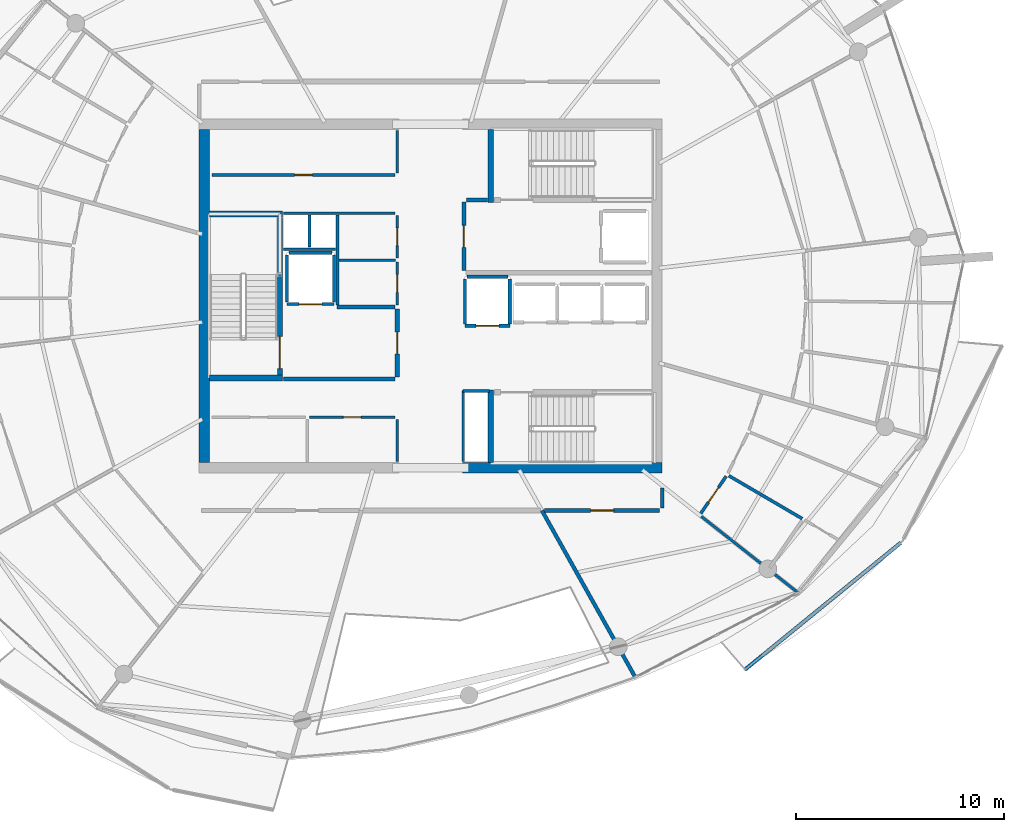
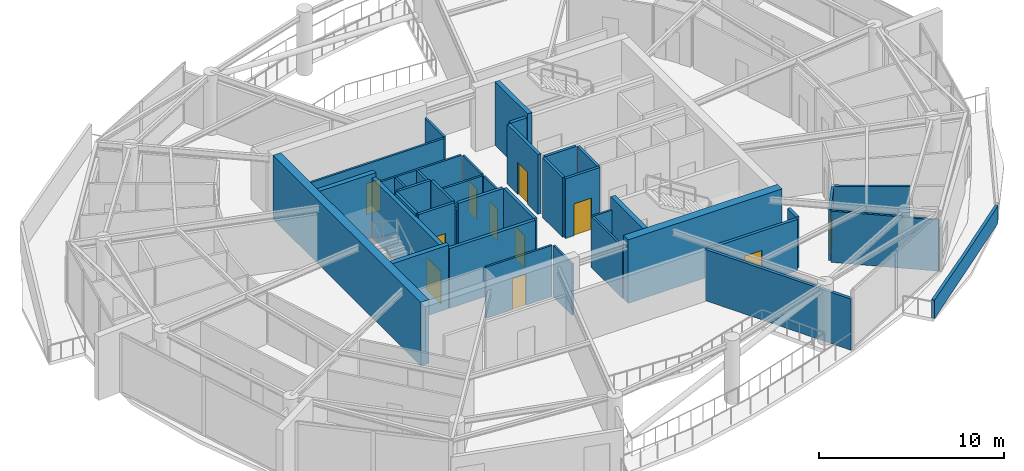
# One storey, part 14 of 22: 40 walls, 11 doors, 11 openings.
"""IFC4 building model written with IfcOpenShell, lengths in metres."""

from ifc_helpers import new_model, si_unit, direction, frame, frame_2d, origin, place, context, subcontext, project, spatial, polyline, rectangle, outline, extrude, material, layer, layer_set, type_object, element, fill, save


model = new_model("IFC4")

# Units and contexts
model_context = context("Model", 3, precision=1e-05, world=origin(), true_north=direction((0.0, 1.0)))
body_context = subcontext(model_context, "Body", "Model", "MODEL_VIEW")
ifc_project = project(units=[si_unit("LENGTHUNIT", "METRE"), si_unit("AREAUNIT", "SQUARE_METRE"), si_unit("VOLUMEUNIT", "CUBIC_METRE"), si_unit("PLANEANGLEUNIT", "RADIAN"), si_unit("MASSUNIT", "GRAM", prefix="KILO")], contexts=[model_context])

# Site, building, storey
site_placement = place(None, origin())
site = spatial("IfcSite", under=ifc_project, at=site_placement, CompositionType="ELEMENT")
building_placement = place(site_placement, origin())
building = spatial("IfcBuilding", under=site, at=building_placement, Name="Kazma Halo Residences", CompositionType="ELEMENT")
storey_placement = place(building_placement, frame((0.0, 0.0, 330.5)))
storey = spatial("IfcBuildingStorey", under=building, at=storey_placement, Name="L83", CompositionType="ELEMENT", Elevation=330.5)

# Walls
ifc_material_1 = material(Name="White Concrete C50/60 Balustrade", Category="concrete")
ifc_layer_1 = layer(ifc_material_1, 0.179931640625)
ifc_layer_set_1 = layer_set([ifc_layer_1], Name="White Concrete C50/60 Balustrade")
wall_type_1 = type_object("IfcWallType", Name="WL-BAL-WAVE-180", PredefinedType="PARAPET", material=ifc_layer_set_1)
wall_1_placement = place(storey_placement, frame((63.522216796875, 24.048828125, 0.0), z_axis=(0.0, 0.0, 1.0), x_axis=(0.775308764642, 0.631582393255, 0.0)))
element("IfcWall", 1, at=wall_1_placement, inside=storey, type_object=wall_type_1, Name="L83 white wave balustrade wall SE.1", PredefinedType="PARAPET", context=body_context, shape_type="SweptSolid", body=[
    extrude(outline(polyline([(0.0, 0.0), (9.661865234375, 0.0), (9.66162109375, 1.14794921875), (4.830810546875, 1.126953125), (0.0, 1.22412109375), (0.0, 0.0)])), frame((0.0, 0.08984375, 0.0), z_axis=(0.0, -1.0, 0.0), x_axis=(1.0, 0.0, 0.0)), (0.0, 0.0, 1.0), 0.179931640625),
])
ifc_material_2 = material(Name="Concrete C60/75", Category="concrete")
ifc_layer_2 = layer(ifc_material_2, 0.5)
ifc_layer_set_2 = layer_set([ifc_layer_2], Name="Concrete C60/75")
wall_type_2 = type_object("IfcWallType", Name="WL-CORE-500", PredefinedType="SHEAR", material=ifc_layer_set_2)
wall_2_placement = place(storey_placement, frame((49.949951171875, 33.75, 0.0), z_axis=(0.0, 0.0, 1.0), x_axis=(1.0, 0.0, 0.0)))
element("IfcWall", 2, at=wall_2_placement, inside=storey, type_object=wall_type_2, Name="L83 central core shear wall SE", PredefinedType="SHEAR", context=body_context, shape_type="SweptSolid", body=[
    extrude(rectangle(XDim=9.60009765625, YDim=0.5, at=frame_2d((4.800048828125, 0.0))), origin(), (0.0, 0.0, 1.0), 4.199951171875),
])
wall_3_placement = place(storey_placement, frame((37.550048828125, 34.0, 0.0), z_axis=(0.0, 0.0, 1.0), x_axis=(0.0, 1.0, 0.0)))
element("IfcWall", 3, at=wall_3_placement, inside=storey, type_object=wall_type_2, Name="L83 central core shear wall W", PredefinedType="SHEAR", context=body_context, shape_type="SweptSolid", body=[
    extrude(rectangle(XDim=16.0, YDim=0.5, at=frame_2d((8.0, 0.0))), origin(), (0.0, 0.0, 1.0), 4.199951171875),
])
ifc_layer_3 = layer(ifc_material_2, 0.280029296875)
ifc_layer_set_3 = layer_set([ifc_layer_3], Name="Concrete C60/75")
wall_type_3 = type_object("IfcWallType", Name="WL-CORE-ST-280", PredefinedType="SHEAR", material=ifc_layer_set_3)
for number, where, z_axis, x_axis, name in (
    (4, (37.800048828125, 38.06005859375, 0.0), (0.0, 0.0, 1.0), (1.0, 0.0, 0.0), "L83 stairwell bearing wall ST01-S"),
    (5, (37.800048828125, 45.93994140625, 0.0), (0.0, 0.0, 1.0), (1.0, 0.0, 0.0), "L83 stairwell bearing wall ST01-N"),
    (6, (51.31005859375, 46.5, 0.0), (0.0, 0.0, 1.0), (0.0, 1.0, 0.0), "L83 stairwell bearing wall ST02-W"),
    (7, (51.31005859375, 34.0, 0.0), (0.0, 0.0, 1.0), (0.0, 1.0, 0.0), "L83 stairwell bearing wall ST03-W"),
):
    element("IfcWall", number, at=place(storey_placement, frame(where, z_axis=z_axis, x_axis=x_axis)), inside=storey, type_object=wall_type_3, Name=name, PredefinedType="SHEAR", context=body_context, shape_type="SweptSolid", body=[
        extrude(rectangle(XDim=3.5, YDim=0.280029296875, at=frame_2d((1.75, 0.0))), origin(), (0.0, 0.0, 1.0), 4.199951171875),
    ])
ifc_material_3 = material(Name="Acoustic Twin-Stud Gypsum")
ifc_layer_4 = layer(ifc_material_3, 0.179931640625)
ifc_layer_set_4 = layer_set([ifc_layer_4], Name="Acoustic Twin-Stud Gypsum")
wall_type_4 = type_object("IfcWallType", Name="WL-DEM-180", PredefinedType="PARTITIONING", material=ifc_layer_set_4)
wall_4_placement = place(storey_placement, frame((53.768310546875, 31.699951171875, 0.0), z_axis=(0.0, 0.0, 1.0), x_axis=(0.488623665245, -0.872494649704, 0.0)))
element("IfcWall", 8, at=wall_4_placement, inside=storey, type_object=wall_type_4, Name="L83 apartment demising radial wall 12", PredefinedType="PARTITIONING", context=body_context, shape_type="SweptSolid", body=[
    extrude(rectangle(XDim=9.156982421875, YDim=0.179931640625, at=frame_2d((4.57861328125, 0.0))), origin(), (0.0, 0.0, 1.0), 3.3798828125),
])

# Wall, opening, door
wall_5_placement = place(storey_placement, frame((53.88818359375, 31.699951171875, 0.0), z_axis=(0.0, 0.0, 1.0), x_axis=(1.0, 0.0, 0.0)))
wall_5 = element("IfcWall", 9, at=wall_5_placement, inside=storey, type_object=wall_type_4, Name="L83 Penthouse 3 entrance corridor wall", PredefinedType="PARTITIONING", context=body_context, shape_type="SweptSolid", body=[
    extrude(rectangle(XDim=5.541748046875, YDim=0.179931640625, at=frame_2d((2.77099609375, 0.0))), origin(), (0.0, 0.0, 1.0), 3.3798828125),
])
opening_1_placement = place(wall_5_placement, frame((2.220703125, 0.0, 0.0)))
opening_1 = element("IfcOpeningElement", 10, at=opening_1_placement, cuts=wall_5, Name="Opening DA-1100", PredefinedType="OPENING", context=body_context, shape_type="SweptSolid", body=[
    extrude(rectangle(XDim=1.10009765625, YDim=2.10009765625, at=frame_2d((0.550048828125, 1.050048828125))), frame((0.0, 0.099853515625, 0.0), z_axis=(0.0, -1.0, 0.0), x_axis=(1.0, 0.0, 0.0)), (0.0, 0.0, 1.0), 0.199951171875),
])
ifc_material_4 = material(Name="Acoustic Walnut Fire Leaf")
door_type_1 = type_object("IfcDoorType", Name="DR-FD60-1100", OperationType="NOTDEFINED", PredefinedType="DOOR", material=ifc_material_4)
door_1_placement = place(opening_1_placement, origin())
door_1 = element("IfcDoor", 11, at=door_1_placement, inside=storey, type_object=door_type_1, Name="L83 Penthouse 3 entrance fire door", OperationType="SINGLE_SWING_LEFT", OverallHeight=2.10009765625, OverallWidth=1.10009765625, PredefinedType="DOOR", context=body_context, shape_type="SweptSolid", body=[
    extrude(rectangle(XDim=1.10009765625, YDim=2.10009765625, at=frame_2d((0.550048828125, 1.050048828125))), frame((0.0, 0.02490234375, 0.0), z_axis=(0.0, -1.0, 0.0), x_axis=(1.0, 0.0, 0.0)), (0.0, 0.0, 1.0), 0.050048828125),
])
fill(opening_1, door_1)

# Wall
wall_6_placement = place(storey_placement, frame((59.550048828125, 31.820068359375, 0.0), z_axis=(0.0, 0.0, 1.0), x_axis=(0.0, 1.0, 0.0)))
element("IfcWall", 12, at=wall_6_placement, inside=storey, type_object=wall_type_4, Name="L83 Penthouse 3 entrance corridor wall", PredefinedType="PARTITIONING", context=body_context, shape_type="SweptSolid", body=[
    extrude(rectangle(XDim=0.95458984375, YDim=0.179931640625, at=frame_2d((0.477294921875, 0.0))), origin(), (0.0, 0.0, 1.0), 3.3798828125),
])

# Wall, opening, door
ifc_material_5 = material(Name="Fire-Rated Blockwork Masonry", Category="masonry")
ifc_layer_5 = layer(ifc_material_5, 0.199951171875)
ifc_layer_set_5 = layer_set([ifc_layer_5], Name="Fire-Rated Blockwork Masonry")
wall_type_5 = type_object("IfcWallType", Name="WL-FLB-200", PredefinedType="PARTITIONING", material=ifc_layer_set_5)
wall_7_placement = place(storey_placement, frame((43.780029296875, 41.6201171875, 0.0), z_axis=(0.0, 0.0, 1.0), x_axis=(-1.0, 0.0, 0.0)))
wall_7 = element("IfcWall", 13, at=wall_7_placement, inside=storey, type_object=wall_type_5, Name="L83 lift shaft FL-01 front wall", PredefinedType="PARTITIONING", context=body_context, shape_type="SweptSolid", body=[
    extrude(rectangle(XDim=2.260009765625, YDim=0.159912109375, at=frame_2d((1.1298828125, 0.0))), origin(), (0.0, 0.0, 1.0), 3.93994140625),
])
opening_2_placement = place(wall_7_placement, frame((0.580078125, 0.0, 0.0)))
opening_2 = element("IfcOpeningElement", 14, at=opening_2_placement, cuts=wall_7, Name="Opening LD-FL-01", PredefinedType="OPENING", context=body_context, shape_type="SweptSolid", body=[
    extrude(rectangle(XDim=1.10009765625, YDim=2.10009765625, at=frame_2d((0.550048828125, 1.050048828125))), frame((0.0, 0.08984375, 0.0), z_axis=(0.0, -1.0, 0.0), x_axis=(1.0, 0.0, 0.0)), (0.0, 0.0, 1.0), 0.179931640625),
])
ifc_material_6 = material(Name="Stainless Steel Fire-Rated", Category="steel")
door_type_2 = type_object("IfcDoorType", Name="DR-LIFT-SLD-1100", OperationType="DOUBLE_DOOR_SLIDING", PredefinedType="DOOR", material=ifc_material_6)
door_2_placement = place(opening_2_placement, origin())
door_2 = element("IfcDoor", 15, at=door_2_placement, inside=storey, type_object=door_type_2, Name="L83 lift FL-01 sliding landing door", OperationType="DOUBLE_DOOR_SLIDING", OverallHeight=2.10009765625, OverallWidth=1.10009765625, PredefinedType="DOOR", context=body_context, shape_type="SweptSolid", body=[
    extrude(rectangle(XDim=1.10009765625, YDim=2.10009765625, at=frame_2d((0.550048828125, 1.050048828125))), frame((0.0, 0.02490234375, 0.0), z_axis=(0.0, -1.0, 0.0), x_axis=(1.0, 0.0, 0.0)), (0.0, 0.0, 1.0), 0.050048828125),
])
fill(opening_2, door_2)

# Walls
for number, where, z_axis, x_axis, name in (
    (16, (43.780029296875, 41.719970703125, 0.0), (0.0, 0.0, 1.0), (0.0, 1.0, 0.0), "L83 lift shaft FL-01 side wall E"),
    (17, (41.52001953125, 41.719970703125, 0.0), (0.0, 0.0, 1.0), (0.0, 1.0, 0.0), "L83 lift shaft FL-01 side wall W"),
):
    element("IfcWall", number, at=place(storey_placement, frame(where, z_axis=z_axis, x_axis=x_axis)), inside=storey, type_object=wall_type_5, Name=name, PredefinedType="PARTITIONING", context=body_context, shape_type="SweptSolid", body=[
        extrude(rectangle(XDim=2.260009765625, YDim=0.159912109375, at=frame_2d((1.1298828125, 0.0))), origin(), (0.0, 0.0, 1.0), 3.93994140625),
    ])
wall_8_placement = place(storey_placement, frame((41.6201171875, 44.080078125, 0.0), z_axis=(0.0, 0.0, 1.0), x_axis=(1.0, 0.0, 0.0)))
element("IfcWall", 18, at=wall_8_placement, inside=storey, type_object=wall_type_5, Name="L83 lift shaft FL-01 side wall N", PredefinedType="PARTITIONING", context=body_context, shape_type="SweptSolid", body=[
    extrude(rectangle(XDim=2.059814453125, YDim=0.159912109375, at=frame_2d((1.02978515625, 0.0))), origin(), (0.0, 0.0, 1.0), 3.93994140625),
])

# Wall, opening, door
wall_9_placement = place(storey_placement, frame((52.22998046875, 40.570068359375, 0.0), z_axis=(0.0, 0.0, 1.0), x_axis=(-1.0, 0.0, 0.0)))
wall_9 = element("IfcWall", 19, at=wall_9_placement, inside=storey, type_object=wall_type_5, Name="L83 lift shaft SV-01 front wall", PredefinedType="PARTITIONING", context=body_context, shape_type="SweptSolid", body=[
    extrude(rectangle(XDim=2.159912109375, YDim=0.159912109375, at=frame_2d((1.080078125, 0.0))), origin(), (0.0, 0.0, 1.0), 3.93994140625),
])
opening_3_placement = place(wall_9_placement, frame((0.530029296875, 0.0, 0.0)))
opening_3 = element("IfcOpeningElement", 20, at=opening_3_placement, cuts=wall_9, Name="Opening LD-SV-01", PredefinedType="OPENING", context=body_context, shape_type="SweptSolid", body=[
    extrude(rectangle(XDim=1.10009765625, YDim=2.10009765625, at=frame_2d((0.550048828125, 1.050048828125))), frame((0.0, 0.08984375, 0.0), z_axis=(0.0, -1.0, 0.0), x_axis=(1.0, 0.0, 0.0)), (0.0, 0.0, 1.0), 0.179931640625),
])
door_3_placement = place(opening_3_placement, origin())
door_3 = element("IfcDoor", 21, at=door_3_placement, inside=storey, type_object=door_type_2, Name="L83 lift SV-01 sliding landing door", OperationType="DOUBLE_DOOR_SLIDING", OverallHeight=2.10009765625, OverallWidth=1.10009765625, PredefinedType="DOOR", context=body_context, shape_type="SweptSolid", body=[
    extrude(rectangle(XDim=1.10009765625, YDim=2.10009765625, at=frame_2d((0.550048828125, 1.050048828125))), frame((0.0, 0.02490234375, 0.0), z_axis=(0.0, -1.0, 0.0), x_axis=(1.0, 0.0, 0.0)), (0.0, 0.0, 1.0), 0.050048828125),
])
fill(opening_3, door_3)

# Walls
for number, where, z_axis, x_axis, name in (
    (22, (52.22998046875, 40.669921875, 0.0), (0.0, 0.0, 1.0), (0.0, 1.0, 0.0), "L83 lift shaft SV-01 side wall E"),
    (23, (50.070068359375, 40.669921875, 0.0), (0.0, 0.0, 1.0), (0.0, 1.0, 0.0), "L83 lift shaft SV-01 side wall W"),
):
    element("IfcWall", number, at=place(storey_placement, frame(where, z_axis=z_axis, x_axis=x_axis)), inside=storey, type_object=wall_type_5, Name=name, PredefinedType="PARTITIONING", context=body_context, shape_type="SweptSolid", body=[
        extrude(rectangle(XDim=2.16015625, YDim=0.159912109375, at=frame_2d((1.080078125, 0.0))), origin(), (0.0, 0.0, 1.0), 3.93994140625),
    ])
wall_10_placement = place(storey_placement, frame((50.169921875, 42.929931640625, 0.0), z_axis=(0.0, 0.0, 1.0), x_axis=(1.0, 0.0, 0.0)))
element("IfcWall", 24, at=wall_10_placement, inside=storey, type_object=wall_type_5, Name="L83 lift shaft SV-01 side wall N", PredefinedType="PARTITIONING", context=body_context, shape_type="SweptSolid", body=[
    extrude(rectangle(XDim=1.9599609375, YDim=0.159912109375, at=frame_2d((0.97998046875, 0.0))), origin(), (0.0, 0.0, 1.0), 3.93994140625),
])
wall_11_placement = place(storey_placement, frame((41.35009765625, 38.02001953125, 0.0), z_axis=(0.0, 0.0, 1.0), x_axis=(1.0, 0.0, 0.0)))
element("IfcWall", 25, at=wall_11_placement, inside=storey, type_object=wall_type_5, Name="L83 west firefighting lobby south smoke wall", PredefinedType="PARTITIONING", context=body_context, shape_type="SweptSolid", body=[
    extrude(rectangle(XDim=5.369873046875, YDim=0.199951171875, at=frame_2d((2.68505859375, 0.0))), origin(), (0.0, 0.0, 1.0), 3.93994140625),
])
wall_12_placement = place(storey_placement, frame((43.919921875, 41.47998046875, 0.0), z_axis=(0.0, 0.0, 1.0), x_axis=(1.0, 0.0, 0.0)))
element("IfcWall", 26, at=wall_12_placement, inside=storey, type_object=wall_type_5, Name="L83 west firefighting lobby north smoke wall", PredefinedType="PARTITIONING", context=body_context, shape_type="SweptSolid", body=[
    extrude(rectangle(XDim=2.800048828125, YDim=0.199951171875, at=frame_2d((1.39990234375, 0.0))), origin(), (0.0, 0.0, 1.0), 3.93994140625),
])

# Wall, opening, door
wall_13_placement = place(storey_placement, frame((46.820068359375, 38.1201171875, 0.0), z_axis=(0.0, 0.0, 1.0), x_axis=(0.0, 1.0, 0.0)))
wall_13 = element("IfcWall", 27, at=wall_13_placement, inside=storey, type_object=wall_type_5, Name="L83 west firefighting lobby smoke wall", PredefinedType="PARTITIONING", context=body_context, shape_type="SweptSolid", body=[
    extrude(rectangle(XDim=3.259765625, YDim=0.199951171875, at=frame_2d((1.6298828125, 0.0))), origin(), (0.0, 0.0, 1.0), 3.93994140625),
])
opening_4_placement = place(wall_13_placement, frame((1.10498046875, 0.0, 0.0)))
opening_4 = element("IfcOpeningElement", 28, at=opening_4_placement, cuts=wall_13, Name="Opening D-FLW", PredefinedType="OPENING", context=body_context, shape_type="SweptSolid", body=[
    extrude(rectangle(XDim=1.050048828125, YDim=2.10009765625, at=frame_2d((0.52490234375, 1.050048828125))), frame((0.0, 0.10986328125, 0.0), z_axis=(0.0, -1.0, 0.0), x_axis=(1.0, 0.0, 0.0)), (0.0, 0.0, 1.0), 0.219970703125),
])
ifc_material_7 = material(Name="Fire-Rated Steel Leaf", Category="steel")
door_type_3 = type_object("IfcDoorType", Name="DR-FD90-1050", OperationType="NOTDEFINED", PredefinedType="DOOR", material=ifc_material_7)
door_4_placement = place(opening_4_placement, origin())
door_4 = element("IfcDoor", 29, at=door_4_placement, inside=storey, type_object=door_type_3, Name="L83 west firefighting lobby smoke door", OperationType="SINGLE_SWING_RIGHT", OverallHeight=2.10009765625, OverallWidth=1.050048828125, PredefinedType="DOOR", context=body_context, shape_type="SweptSolid", body=[
    extrude(rectangle(XDim=1.050048828125, YDim=2.10009765625, at=frame_2d((0.52490234375, 1.050048828125))), frame((0.0, 0.02490234375, 0.0), z_axis=(0.0, -1.0, 0.0), x_axis=(1.0, 0.0, 0.0)), (0.0, 0.0, 1.0), 0.050048828125),
])
fill(opening_4, door_4)

# Wall
wall_14_placement = place(storey_placement, frame((50.139892578125, 46.6201171875, 0.0), z_axis=(0.0, 0.0, 1.0), x_axis=(1.0, 0.0, 0.0)))
element("IfcWall", 30, at=wall_14_placement, inside=storey, type_object=wall_type_5, Name="L83 east firefighting lobby north closure wall", PredefinedType="PARTITIONING", context=body_context, shape_type="SweptSolid", body=[
    extrude(rectangle(XDim=1.02001953125, YDim=0.199951171875, at=frame_2d((0.510009765625, 0.0))), origin(), (0.0, 0.0, 1.0), 3.93994140625),
])

# Wall, opening, door
wall_15_placement = place(storey_placement, frame((50.02001953125, 43.219970703125, 0.0), z_axis=(0.0, 0.0, 1.0), x_axis=(0.0, 1.0, 0.0)))
wall_15 = element("IfcWall", 31, at=wall_15_placement, inside=storey, type_object=wall_type_5, Name="L83 east firefighting lobby smoke wall", PredefinedType="PARTITIONING", context=body_context, shape_type="SweptSolid", body=[
    extrude(rectangle(XDim=3.300048828125, YDim=0.199951171875, at=frame_2d((1.64990234375, 0.0))), origin(), (0.0, 0.0, 1.0), 3.93994140625),
])
opening_5_placement = place(wall_15_placement, frame((1.125, 0.0, 0.0)))
opening_5 = element("IfcOpeningElement", 32, at=opening_5_placement, cuts=wall_15, Name="Opening D-FLE", PredefinedType="OPENING", context=body_context, shape_type="SweptSolid", body=[
    extrude(rectangle(XDim=1.050048828125, YDim=2.10009765625, at=frame_2d((0.52490234375, 1.050048828125))), frame((0.0, 0.10986328125, 0.0), z_axis=(0.0, -1.0, 0.0), x_axis=(1.0, 0.0, 0.0)), (0.0, 0.0, 1.0), 0.219970703125),
])
door_5_placement = place(opening_5_placement, origin())
door_5 = element("IfcDoor", 33, at=door_5_placement, inside=storey, type_object=door_type_3, Name="L83 east firefighting lobby smoke door", OperationType="SINGLE_SWING_LEFT", OverallHeight=2.10009765625, OverallWidth=1.050048828125, PredefinedType="DOOR", context=body_context, shape_type="SweptSolid", body=[
    extrude(rectangle(XDim=1.050048828125, YDim=2.10009765625, at=frame_2d((0.52490234375, 1.050048828125))), frame((0.0, 0.02490234375, 0.0), z_axis=(0.0, -1.0, 0.0), x_axis=(1.0, 0.0, 0.0)), (0.0, 0.0, 1.0), 0.050048828125),
])
fill(opening_5, door_5)

# Wall
ifc_material_8 = material(Name="Gypsum Plasterboard Partition")
ifc_layer_6 = layer(ifc_material_8, 0.125)
ifc_layer_set_6 = layer_set([ifc_layer_6], Name="Gypsum Plasterboard Partition")
wall_type_6 = type_object("IfcWallType", Name="WL-PART-125", PredefinedType="PARTITIONING", material=ifc_layer_set_6)
wall_16_placement = place(storey_placement, frame((46.820068359375, 34.050048828125, 0.0), z_axis=(0.0, 0.0, 1.0), x_axis=(0.0, 1.0, 0.0)))
element("IfcWall", 34, at=wall_16_placement, inside=storey, type_object=wall_type_6, Name="L83 reclaimed south east wall", PredefinedType="PARTITIONING", context=body_context, shape_type="SweptSolid", body=[
    extrude(rectangle(XDim=2.030029296875, YDim=0.125, at=frame_2d((1.01513671875, 0.0))), origin(), (0.0, 0.0, 1.0), 3.3798828125),
])

# Wall, opening, door
wall_17_placement = place(storey_placement, frame((42.60009765625, 36.179931640625, 0.0), z_axis=(0.0, 0.0, 1.0), x_axis=(1.0, 0.0, 0.0)))
wall_17 = element("IfcWall", 35, at=wall_17_placement, inside=storey, type_object=wall_type_6, Name="L83 reclaimed south E front wall", PredefinedType="PARTITIONING", context=body_context, shape_type="SweptSolid", body=[
    extrude(rectangle(XDim=4.119873046875, YDim=0.125, at=frame_2d((2.06005859375, 0.0))), origin(), (0.0, 0.0, 1.0), 3.3798828125),
])
opening_6_placement = place(wall_17_placement, frame((1.635009765625, 0.0, 0.0)))
opening_6 = element("IfcOpeningElement", 36, at=opening_6_placement, cuts=wall_17, Name="Opening DS-850", PredefinedType="OPENING", context=body_context, shape_type="SweptSolid", body=[
    extrude(rectangle(XDim=0.85009765625, YDim=2.06005859375, at=frame_2d((0.425048828125, 1.030029296875))), frame((0.0, 0.072509765625, 0.0), z_axis=(0.0, -1.0, 0.0), x_axis=(1.0, 0.0, 0.0)), (0.0, 0.0, 1.0), 0.14501953125),
])
ifc_material_9 = material(Name="Painted Steel Access Leaf", Category="steel")
door_type_4 = type_object("IfcDoorType", Name="DR-SVC-850", OperationType="NOTDEFINED", PredefinedType="DOOR", material=ifc_material_9)
door_6_placement = place(opening_6_placement, origin())
door_6 = element("IfcDoor", 37, at=door_6_placement, inside=storey, type_object=door_type_4, Name="L83 reclaimed south E door", OperationType="SINGLE_SWING_LEFT", OverallHeight=2.06005859375, OverallWidth=0.85009765625, PredefinedType="DOOR", context=body_context, shape_type="SweptSolid", body=[
    extrude(rectangle(XDim=0.85009765625, YDim=2.06005859375, at=frame_2d((0.425048828125, 1.030029296875))), frame((0.0, 0.02490234375, 0.0), z_axis=(0.0, -1.0, 0.0), x_axis=(1.0, 0.0, 0.0)), (0.0, 0.0, 1.0), 0.050048828125),
])
fill(opening_6, door_6)

# Wall
wall_18_placement = place(storey_placement, frame((46.820068359375, 47.919921875, 0.0), z_axis=(0.0, 0.0, 1.0), x_axis=(0.0, 1.0, 0.0)))
element("IfcWall", 38, at=wall_18_placement, inside=storey, type_object=wall_type_6, Name="L83 reclaimed north east wall", PredefinedType="PARTITIONING", context=body_context, shape_type="SweptSolid", body=[
    extrude(rectangle(XDim=2.030029296875, YDim=0.125, at=frame_2d((1.01513671875, 0.0))), origin(), (0.0, 0.0, 1.0), 3.3798828125),
])

# Wall, opening, door
wall_19_placement = place(storey_placement, frame((37.919921875, 47.820068359375, 0.0), z_axis=(0.0, 0.0, 1.0), x_axis=(1.0, 0.0, 0.0)))
wall_19 = element("IfcWall", 39, at=wall_19_placement, inside=storey, type_object=wall_type_6, Name="L83 reclaimed north front wall", PredefinedType="PARTITIONING", context=body_context, shape_type="SweptSolid", body=[
    extrude(rectangle(XDim=8.780029296875, YDim=0.125, at=frame_2d((4.39013671875, 0.0))), origin(), (0.0, 0.0, 1.0), 3.3798828125),
])
opening_7_placement = place(wall_19_placement, frame((3.965087890625, 0.0, 0.0)))
opening_7 = element("IfcOpeningElement", 40, at=opening_7_placement, cuts=wall_19, Name="Opening DS-850", PredefinedType="OPENING", context=body_context, shape_type="SweptSolid", body=[
    extrude(rectangle(XDim=0.85009765625, YDim=2.06005859375, at=frame_2d((0.425048828125, 1.030029296875))), frame((0.0, 0.072509765625, 0.0), z_axis=(0.0, -1.0, 0.0), x_axis=(1.0, 0.0, 0.0)), (0.0, 0.0, 1.0), 0.14501953125),
])
door_7_placement = place(opening_7_placement, origin())
door_7 = element("IfcDoor", 41, at=door_7_placement, inside=storey, type_object=door_type_4, Name="L83 reclaimed north service door", OperationType="SINGLE_SWING_RIGHT", OverallHeight=2.06005859375, OverallWidth=0.85009765625, PredefinedType="DOOR", context=body_context, shape_type="SweptSolid", body=[
    extrude(rectangle(XDim=0.85009765625, YDim=2.06005859375, at=frame_2d((0.425048828125, 1.030029296875))), frame((0.0, 0.02490234375, 0.0), z_axis=(0.0, -1.0, 0.0), x_axis=(1.0, 0.0, 0.0)), (0.0, 0.0, 1.0), 0.050048828125),
])
fill(opening_7, door_7)

# Walls
wall_20_placement = place(storey_placement, frame((41.360107421875, 45.97998046875, 0.0), z_axis=(0.0, 0.0, 1.0), x_axis=(1.0, 0.0, 0.0)))
element("IfcWall", 42, at=wall_20_placement, inside=storey, type_object=wall_type_6, Name="L83 core north riser wall", PredefinedType="PARTITIONING", context=body_context, shape_type="SweptSolid", body=[
    extrude(rectangle(XDim=5.35986328125, YDim=0.125, at=frame_2d((2.679931640625, 0.0))), origin(), (0.0, 0.0, 1.0), 3.3798828125),
])
wall_21_placement = place(storey_placement, frame((41.360107421875, 44.260009765625, 0.0), z_axis=(0.0, 0.0, 1.0), x_axis=(1.0, 0.0, 0.0)))
element("IfcWall", 43, at=wall_21_placement, inside=storey, type_object=wall_type_6, Name="L83 core riser south wall", PredefinedType="PARTITIONING", context=body_context, shape_type="SweptSolid", body=[
    extrude(rectangle(XDim=2.5, YDim=0.125, at=frame_2d((1.25, 0.0))), origin(), (0.0, 0.0, 1.0), 3.3798828125),
])
wall_22_placement = place(storey_placement, frame((42.60009765625, 44.35009765625, 0.0), z_axis=(0.0, 0.0, 1.0), x_axis=(0.0, 1.0, 0.0)))
element("IfcWall", 44, at=wall_22_placement, inside=storey, type_object=wall_type_6, Name="L83 core riser divider wall", PredefinedType="PARTITIONING", context=body_context, shape_type="SweptSolid", body=[
    extrude(rectangle(XDim=1.5498046875, YDim=0.125, at=frame_2d((0.77490234375, 0.0))), origin(), (0.0, 0.0, 1.0), 3.3798828125),
])
wall_23_placement = place(storey_placement, frame((49.97998046875, 34.06005859375, 0.0), z_axis=(0.0, 0.0, 1.0), x_axis=(0.0, 1.0, 0.0)))
element("IfcWall", 45, at=wall_23_placement, inside=storey, type_object=wall_type_6, Name="L83 standpipe riser wall", PredefinedType="PARTITIONING", context=body_context, shape_type="SweptSolid", body=[
    extrude(rectangle(XDim=3.39990234375, YDim=0.125, at=frame_2d((1.699951171875, 0.0))), origin(), (0.0, 0.0, 1.0), 3.3798828125),
])
wall_24_placement = place(storey_placement, frame((49.97998046875, 37.43994140625, 0.0), z_axis=(0.0, 0.0, 1.0), x_axis=(1.0, 0.0, 0.0)))
element("IfcWall", 46, at=wall_24_placement, inside=storey, type_object=wall_type_6, Name="L83 standpipe riser north wall", PredefinedType="PARTITIONING", context=body_context, shape_type="SweptSolid", body=[
    extrude(rectangle(XDim=1.260009765625, YDim=0.125, at=frame_2d((0.6298828125, 0.0))), origin(), (0.0, 0.0, 1.0), 3.3798828125),
])
wall_25_placement = place(storey_placement, frame((43.949951171875, 41.580078125, 0.0), z_axis=(0.0, 0.0, 1.0), x_axis=(0.0, 1.0, 0.0)))
element("IfcWall", 47, at=wall_25_placement, inside=storey, type_object=wall_type_6, Name="L83 core service west wall", PredefinedType="PARTITIONING", context=body_context, shape_type="SweptSolid", body=[
    extrude(rectangle(XDim=4.31982421875, YDim=0.125, at=frame_2d((2.159912109375, 0.0))), origin(), (0.0, 0.0, 1.0), 3.3798828125),
])
wall_26_placement = place(storey_placement, frame((44.030029296875, 43.72998046875, 0.0), z_axis=(0.0, 0.0, 1.0), x_axis=(1.0, 0.0, 0.0)))
element("IfcWall", 48, at=wall_26_placement, inside=storey, type_object=wall_type_6, Name="L83 switch/IDF divider", PredefinedType="PARTITIONING", context=body_context, shape_type="SweptSolid", body=[
    extrude(rectangle(XDim=2.7099609375, YDim=0.125, at=frame_2d((1.35498046875, 0.0))), origin(), (0.0, 0.0, 1.0), 3.3798828125),
])

# Wall, opening, door
wall_27_placement = place(storey_placement, frame((46.820068359375, 41.580078125, 0.0), z_axis=(0.0, 0.0, 1.0), x_axis=(0.0, 1.0, 0.0)))
wall_27 = element("IfcWall", 49, at=wall_27_placement, inside=storey, type_object=wall_type_6, Name="L83 electrical switch room east wall", PredefinedType="PARTITIONING", context=body_context, shape_type="SweptSolid", body=[
    extrude(rectangle(XDim=2.0498046875, YDim=0.125, at=frame_2d((1.02490234375, 0.0))), origin(), (0.0, 0.0, 1.0), 3.3798828125),
])
opening_8_placement = place(wall_27_placement, frame((0.60009765625, 0.0, 0.0)))
opening_8 = element("IfcOpeningElement", 50, at=opening_8_placement, cuts=wall_27, Name="Opening DS-850", PredefinedType="OPENING", context=body_context, shape_type="SweptSolid", body=[
    extrude(rectangle(XDim=0.85009765625, YDim=2.06005859375, at=frame_2d((0.425048828125, 1.030029296875))), frame((0.0, 0.072509765625, 0.0), z_axis=(0.0, -1.0, 0.0), x_axis=(1.0, 0.0, 0.0)), (0.0, 0.0, 1.0), 0.14501953125),
])
door_8_placement = place(opening_8_placement, origin())
door_8 = element("IfcDoor", 51, at=door_8_placement, inside=storey, type_object=door_type_4, Name="L83 electrical switch room door", OperationType="SINGLE_SWING_RIGHT", OverallHeight=2.06005859375, OverallWidth=0.85009765625, PredefinedType="DOOR", context=body_context, shape_type="SweptSolid", body=[
    extrude(rectangle(XDim=0.85009765625, YDim=2.06005859375, at=frame_2d((0.425048828125, 1.030029296875))), frame((0.0, 0.02490234375, 0.0), z_axis=(0.0, -1.0, 0.0), x_axis=(1.0, 0.0, 0.0)), (0.0, 0.0, 1.0), 0.050048828125),
])
fill(opening_8, door_8)

wall_28_placement = place(storey_placement, frame((46.820068359375, 43.830078125, 0.0), z_axis=(0.0, 0.0, 1.0), x_axis=(0.0, 1.0, 0.0)))
wall_28 = element("IfcWall", 52, at=wall_28_placement, inside=storey, type_object=wall_type_6, Name="L83 telecom IDF room east wall", PredefinedType="PARTITIONING", context=body_context, shape_type="SweptSolid", body=[
    extrude(rectangle(XDim=2.0498046875, YDim=0.125, at=frame_2d((1.02490234375, 0.0))), origin(), (0.0, 0.0, 1.0), 3.3798828125),
])
opening_9_placement = place(wall_28_placement, frame((0.60009765625, 0.0, 0.0)))
opening_9 = element("IfcOpeningElement", 53, at=opening_9_placement, cuts=wall_28, Name="Opening DS-850", PredefinedType="OPENING", context=body_context, shape_type="SweptSolid", body=[
    extrude(rectangle(XDim=0.85009765625, YDim=2.06005859375, at=frame_2d((0.425048828125, 1.030029296875))), frame((0.0, 0.072509765625, 0.0), z_axis=(0.0, -1.0, 0.0), x_axis=(1.0, 0.0, 0.0)), (0.0, 0.0, 1.0), 0.14501953125),
])
door_9_placement = place(opening_9_placement, origin())
door_9 = element("IfcDoor", 54, at=door_9_placement, inside=storey, type_object=door_type_4, Name="L83 telecom IDF room door", OperationType="SINGLE_SWING_LEFT", OverallHeight=2.06005859375, OverallWidth=0.85009765625, PredefinedType="DOOR", context=body_context, shape_type="SweptSolid", body=[
    extrude(rectangle(XDim=0.85009765625, YDim=2.06005859375, at=frame_2d((0.425048828125, 1.030029296875))), frame((0.0, 0.02490234375, 0.0), z_axis=(0.0, -1.0, 0.0), x_axis=(1.0, 0.0, 0.0)), (0.0, 0.0, 1.0), 0.050048828125),
])
fill(opening_9, door_9)

# Wall
wall_29_placement = place(storey_placement, frame((61.42578125, 31.416015625, 0.0), z_axis=(0.0, 0.0, 1.0), x_axis=(0.785316001521, -0.619095128196, 0.0)))
element("IfcWall", 55, at=wall_29_placement, inside=storey, type_object=wall_type_6, Name="L83 Penthouse 3 radial partition 13", PredefinedType="PARTITIONING", context=body_context, shape_type="SweptSolid", body=[
    extrude(rectangle(XDim=5.897216796875, YDim=0.125, at=frame_2d((2.94873046875, 0.0))), origin(), (0.0, 0.0, 1.0), 3.3798828125),
])

# Wall, opening, door
ifc_material_10 = material(Name="Concrete C50/60", Category="concrete")
ifc_layer_7 = layer(ifc_material_10, 0.25)
ifc_layer_set_7 = layer_set([ifc_layer_7], Name="Concrete C50/60")
wall_type_7 = type_object("IfcWallType", Name="WL-SHF-250", PredefinedType="SOLIDWALL", material=ifc_layer_set_7)
wall_30_placement = place(storey_placement, frame((41.179931640625, 38.219970703125, 0.0), z_axis=(0.0, 0.0, 1.0), x_axis=(0.0, 1.0, 0.0)))
wall_30 = element("IfcWall", 56, at=wall_30_placement, inside=storey, type_object=wall_type_7, Name="L83 exit stair ST-01 enclosure wall", PredefinedType="SOLIDWALL", context=body_context, shape_type="SweptSolid", body=[
    extrude(rectangle(XDim=7.56005859375, YDim=0.25, at=frame_2d((3.780029296875, 0.0))), origin(), (0.0, 0.0, 1.0), 3.93994140625),
])
opening_10_placement = place(wall_30_placement, frame((0.300048828125, 0.0, 0.0)))
opening_10 = element("IfcOpeningElement", 57, at=opening_10_placement, cuts=wall_30, Name="Opening D-ST1", PredefinedType="OPENING", context=body_context, shape_type="SweptSolid", body=[
    extrude(rectangle(XDim=1.550048828125, YDim=2.14990234375, at=frame_2d((0.77490234375, 1.074951171875))), frame((0.0, 0.135009765625, 0.0), z_axis=(0.0, -1.0, 0.0), x_axis=(1.0, 0.0, 0.0)), (0.0, 0.0, 1.0), 0.27001953125),
])
ifc_material_11 = material(Name="Fire-Rated Double Steel Leaf", Category="steel")
door_type_5 = type_object("IfcDoorType", Name="DR-FD90-1550", OperationType="NOTDEFINED", PredefinedType="DOOR", material=ifc_material_11)
door_10_placement = place(opening_10_placement, origin())
door_10 = element("IfcDoor", 58, at=door_10_placement, inside=storey, type_object=door_type_5, Name="L83 exit stair ST-01 fire door", OperationType="DOUBLE_DOOR_SINGLE_SWING", OverallHeight=2.14990234375, OverallWidth=1.550048828125, PredefinedType="DOOR", context=body_context, shape_type="SweptSolid", body=[
    extrude(rectangle(XDim=1.550048828125, YDim=2.14990234375, at=frame_2d((0.77490234375, 1.074951171875))), frame((0.0, 0.02490234375, 0.0), z_axis=(0.0, -1.0, 0.0), x_axis=(1.0, 0.0, 0.0)), (0.0, 0.0, 1.0), 0.050048828125),
])
fill(opening_10, door_10)

ifc_material_12 = material(Name="Moisture-Resistant Gypsum")
ifc_layer_8 = layer(ifc_material_12, 0.14990234375)
ifc_layer_set_8 = layer_set([ifc_layer_8], Name="Moisture-Resistant Gypsum")
wall_type_8 = type_object("IfcWallType", Name="WL-WET-150", PredefinedType="PARTITIONING", material=ifc_layer_set_8)
wall_31_placement = place(storey_placement, frame((61.403564453125, 31.560546875, 0.0), z_axis=(0.0, 0.0, 1.0), x_axis=(0.563417581251, 0.826172275701, 0.0)))
wall_31 = element("IfcWall", 59, at=wall_31_placement, inside=storey, type_object=wall_type_8, Name="L83 Penthouse 3 Guest Bathroom hall wall", PredefinedType="PARTITIONING", context=body_context, shape_type="SweptSolid", body=[
    extrude(rectangle(XDim=2.157470703125, YDim=0.14990234375, at=frame_2d((1.07861328125, 0.0))), origin(), (0.0, 0.0, 1.0), 3.3798828125),
])
opening_11_placement = place(wall_31_placement, frame((0.65380859375, 0.0, 0.0)))
opening_11 = element("IfcOpeningElement", 60, at=opening_11_placement, cuts=wall_31, Name="Opening DB-900", PredefinedType="OPENING", context=body_context, shape_type="SweptSolid", body=[
    extrude(rectangle(XDim=0.85009765625, YDim=2.06005859375, at=frame_2d((0.425048828125, 1.030029296875))), frame((0.0, 0.0849609375, 0.0), z_axis=(0.0, -1.0, 0.0), x_axis=(1.0, 0.0, 0.0)), (0.0, 0.0, 1.0), 0.169921875),
])
ifc_material_13 = material(Name="Moisture-Sealed Timber Leaf", Category="wood")
door_type_6 = type_object("IfcDoorType", Name="DR-BTH-900", OperationType="NOTDEFINED", PredefinedType="DOOR", material=ifc_material_13)
door_11_placement = place(opening_11_placement, origin())
door_11 = element("IfcDoor", 61, at=door_11_placement, inside=storey, type_object=door_type_6, Name="L83 Penthouse 3 Guest Bathroom door", OperationType="SINGLE_SWING_LEFT", OverallHeight=2.06005859375, OverallWidth=0.85009765625, PredefinedType="DOOR", context=body_context, shape_type="SweptSolid", body=[
    extrude(rectangle(XDim=0.85009765625, YDim=2.06005859375, at=frame_2d((0.425048828125, 1.030029296875))), frame((0.0, 0.02490234375, 0.0), z_axis=(0.0, -1.0, 0.0), x_axis=(1.0, 0.0, 0.0)), (0.0, 0.0, 1.0), 0.050048828125),
])
fill(opening_11, door_11)

# Wall
wall_32_placement = place(storey_placement, frame((62.74755859375, 33.3720703125, 0.0), z_axis=(0.0, 0.0, 1.0), x_axis=(0.863113475275, -0.505010028413, 0.0)))
element("IfcWall", 62, at=wall_32_placement, inside=storey, type_object=wall_type_8, Name="L83 Penthouse 3 Guest Bathroom side wall", PredefinedType="PARTITIONING", context=body_context, shape_type="SweptSolid", body=[
    extrude(rectangle(XDim=4.08984375, YDim=0.14990234375, at=frame_2d((2.044921875, 0.0))), origin(), (0.0, 0.0, 1.0), 3.3798828125),
])

save(model, "model.ifc")
